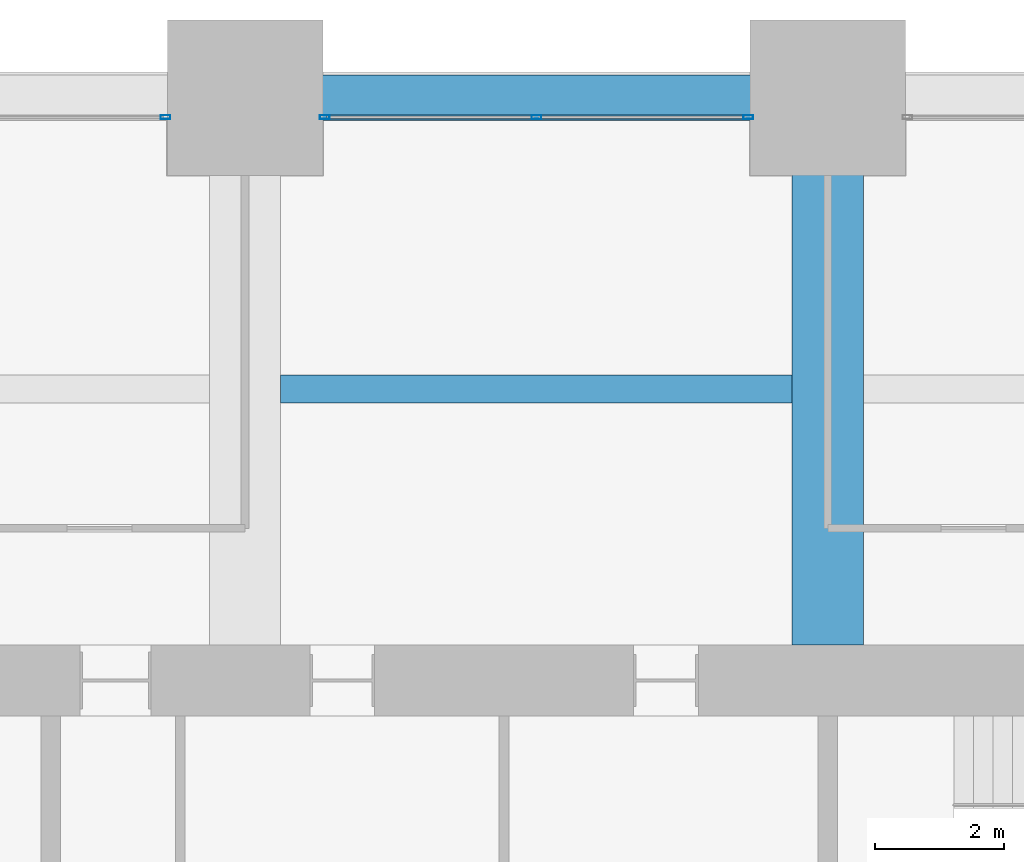
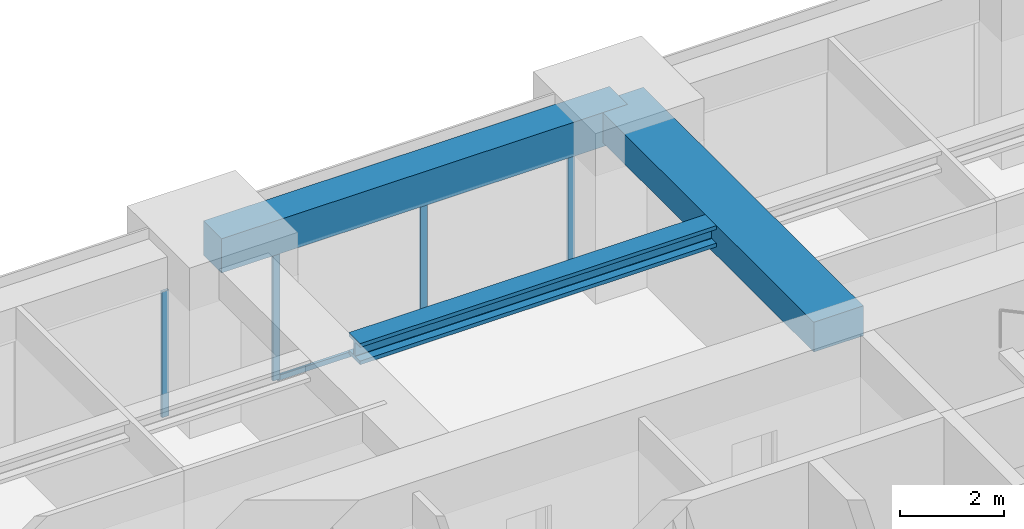
# One storey, part 29 of 41: 5 members, 3 beams, 2 elements without a shape of their own.
"""IFC4 building model written with IfcOpenShell, lengths in metres."""

from ifc_helpers import new_model, si_unit, direction, frame, origin, origin_2d, place, context, subcontext, project, spatial, rectangle, hollow_rectangle, i_section, extrude, material, material_profile, profile_set, type_object, element, aggregate, save


model = new_model("IFC4")

# Units and contexts
model_context = context("Model", 3, precision=1e-05, world=origin(), true_north=direction((0.0, 1.0)))
body_context = subcontext(model_context, "Body", "Model", "MODEL_VIEW")
ifc_project = project(units=[si_unit("LENGTHUNIT", "METRE"), si_unit("AREAUNIT", "SQUARE_METRE"), si_unit("VOLUMEUNIT", "CUBIC_METRE"), si_unit("PLANEANGLEUNIT", "RADIAN"), si_unit("MASSUNIT", "GRAM", prefix="KILO")], contexts=[model_context])

# Site, building, storey
site_placement = place(None, origin())
site = spatial("IfcSite", under=ifc_project, at=site_placement, CompositionType="ELEMENT")
building_placement = place(site_placement, origin())
building = spatial("IfcBuilding", under=site, at=building_placement, Name="Zorevar Civic Tower", CompositionType="ELEMENT")
storey_placement = place(building_placement, frame((0.0, 0.0, 105.0)))
storey = spatial("IfcBuildingStorey", under=building, at=storey_placement, Name="L25", CompositionType="ELEMENT", Elevation=105.0)

# Beam
ifc_material_1 = material(Name="Concrete C50/60", Category="concrete")
ifc_material_profile_1 = material_profile(ifc_material_1, rectangle(XDim=1.10009765625, YDim=0.699951171875, at=origin_2d()), Name="RC 1100x700")
ifc_profile_set_1 = profile_set([ifc_material_profile_1], Name="Concrete C50/60")
beam_type_1 = type_object("IfcBeamType", Name="Beam RC 1100x700", PredefinedType="BEAM", material=ifc_profile_set_1)
beam_1_placement = place(storey_placement, frame((36.0, 36.550048828125, 3.39990234375), z_axis=(0.0, 1.0, 0.0), x_axis=(-1.0, 0.0, 0.0)))
element("IfcBeam", 1, at=beam_1_placement, inside=storey, type_object=beam_type_1, Name="Girder L26", PredefinedType="BEAM", context=body_context, shape_type="SweptSolid", body=[
    extrude(rectangle(XDim=1.10009765625, YDim=0.699951171875, at=origin_2d()), origin(), (0.0, 0.0, 1.0), 8.449951171875),
])

# Curtain wall, member
ifc_material_2 = material(Name="Dark grey solar-control glass in black aluminium frame", Category="aluminium")
curtain_wall_type = type_object("IfcCurtainWallType", Name="Curtain wall CW3 mid zone", PredefinedType="NOTDEFINED", material=ifc_material_2)
curtain_wall_1_placement = place(storey_placement, origin())
curtain_wall_1 = element("IfcCurtainWall", 2, at=curtain_wall_1_placement, inside=storey, type_object=curtain_wall_type, Name="CW3 L25", PredefinedType="NOTDEFINED")
ifc_material_3 = material(Name="Aluminium, black anodised", Category="aluminium")
ifc_material_profile_2 = material_profile(ifc_material_3, hollow_rectangle(XDim=0.06005859375, YDim=0.14990234375, WallThickness=0.00390625, at=origin_2d()), Name="AL 150x60x4")
ifc_profile_set_2 = profile_set([ifc_material_profile_2], Name="Aluminium, black anodised")
member_type_1 = type_object("IfcMemberType", Name="CW3 mullion AL 150x60x4", PredefinedType="MULLION", material=ifc_profile_set_2)
member_1_placement = place(storey_placement, frame((25.77001953125, 44.699951171875, 0.0), z_axis=(0.0, 0.0, 1.0), x_axis=(0.0, 1.0, 0.0)))
member_1 = element("IfcMember", 3, at=member_1_placement, type_object=member_type_1, Name="CW3 mullion 3", PredefinedType="MULLION", context=body_context, shape_type="SweptSolid", body=[
    extrude(hollow_rectangle(XDim=0.06005859375, YDim=0.14990234375, WallThickness=0.00390625, at=origin_2d()), origin(), (0.0, 0.0, 1.0), 2.949951171875),
])
aggregate(curtain_wall_1, [member_1])

# Curtain wall, members
curtain_wall_2_placement = place(storey_placement, origin())
curtain_wall_2 = element("IfcCurtainWall", 4, at=curtain_wall_2_placement, inside=storey, type_object=curtain_wall_type, Name="CW3 L25", PredefinedType="NOTDEFINED")
member_2_placement = place(storey_placement, frame((28.22998046875, 44.699951171875, 0.0), z_axis=(0.0, 0.0, 1.0), x_axis=(0.0, 1.0, 0.0)))
member_2 = element("IfcMember", 5, at=member_2_placement, type_object=member_type_1, Name="CW3 mullion 1", PredefinedType="MULLION", context=body_context, shape_type="SweptSolid", body=[
    extrude(hollow_rectangle(XDim=0.06005859375, YDim=0.14990234375, WallThickness=0.00390625, at=origin_2d()), origin(), (0.0, 0.0, 1.0), 2.949951171875),
])
member_3_placement = place(storey_placement, frame((31.5, 44.699951171875, 0.06005859375), z_axis=(0.0, 0.0, 1.0), x_axis=(0.0, 1.0, 0.0)))
member_3 = element("IfcMember", 6, at=member_3_placement, type_object=member_type_1, Name="CW3 mullion 2", PredefinedType="MULLION", context=body_context, shape_type="SweptSolid", body=[
    extrude(hollow_rectangle(XDim=0.06005859375, YDim=0.14990234375, WallThickness=0.00390625, at=origin_2d()), origin(), (0.0, 0.0, 1.0), 2.889892578125),
])
member_4_placement = place(storey_placement, frame((34.77001953125, 44.699951171875, 0.0), z_axis=(0.0, 0.0, 1.0), x_axis=(0.0, 1.0, 0.0)))
member_4 = element("IfcMember", 7, at=member_4_placement, type_object=member_type_1, Name="CW3 mullion 3", PredefinedType="MULLION", context=body_context, shape_type="SweptSolid", body=[
    extrude(hollow_rectangle(XDim=0.06005859375, YDim=0.14990234375, WallThickness=0.00390625, at=origin_2d()), origin(), (0.0, 0.0, 1.0), 2.949951171875),
])
ifc_material_4 = material(Name="Aluminium, black anodised", Category="aluminium")
ifc_material_profile_3 = material_profile(ifc_material_4, hollow_rectangle(XDim=0.06005859375, YDim=0.1201171875, WallThickness=0.0029296875, at=origin_2d()), Name="AL 120x60x3")
ifc_profile_set_3 = profile_set([ifc_material_profile_3], Name="Aluminium, black anodised")
member_type_2 = type_object("IfcMemberType", Name="CW3 transom AL 120x60x3", PredefinedType="USERDEFINED", material=ifc_profile_set_3)
member_5_placement = place(storey_placement, frame((28.260009765625, 44.699951171875, 0.030029296875), z_axis=(1.0, 0.0, 0.0), x_axis=(0.0, 1.0, 0.0)))
member_5 = element("IfcMember", 8, at=member_5_placement, type_object=member_type_2, Name="CW3 sill transom", ObjectType="TRANSOM", PredefinedType="USERDEFINED", context=body_context, shape_type="SweptSolid", body=[
    extrude(hollow_rectangle(XDim=0.06005859375, YDim=0.1201171875, WallThickness=0.0029296875, at=origin_2d()), origin(), (0.0, 0.0, 1.0), 6.47998046875),
])
aggregate(curtain_wall_2, [member_2, member_3, member_4, member_5])

# Beams
ifc_material_5 = material(Name="Steel S460M (HISTAR 460)", Category="steel")
ifc_material_profile_4 = material_profile(ifc_material_5, i_section(OverallWidth=0.431884765625, OverallDepth=0.498046875, WebThickness=0.0556640625, FlangeThickness=0.0888671875, FilletRadius=0.014892578125, at=origin_2d()), Name="HD 400x744")
ifc_profile_set_4 = profile_set([ifc_material_profile_4], Name="Steel S460M (HISTAR 460)")
beam_type_2 = type_object("IfcBeamType", Name="Core bay beam HD 400x744", PredefinedType="BEAM", material=ifc_profile_set_4)
beam_2_placement = place(storey_placement, frame((27.550048828125, 40.5, 3.5009765625), z_axis=(1.0, 0.0, 0.0), x_axis=(0.0, 1.0, 0.0)))
element("IfcBeam", 9, at=beam_2_placement, inside=storey, type_object=beam_type_2, Name="Secondary beam L26", PredefinedType="BEAM", context=body_context, shape_type="SweptSolid", body=[
    extrude(i_section(OverallWidth=0.431884765625, OverallDepth=0.498046875, WebThickness=0.0556640625, FlangeThickness=0.0888671875, FilletRadius=0.014892578125, at=origin_2d()), origin(), (0.0, 0.0, 1.0), 7.89990234375),
])
ifc_material_6 = material(Name="Concrete C50/60", Category="concrete")
ifc_material_profile_5 = material_profile(ifc_material_6, rectangle(XDim=0.699951171875, YDim=0.800048828125, at=origin_2d()), Name="RC 700x800")
ifc_profile_set_5 = profile_set([ifc_material_profile_5], Name="Concrete C50/60")
beam_type_3 = type_object("IfcBeamType", Name="Edge beam RC 700x800", PredefinedType="SPANDREL", material=ifc_profile_set_5)
beam_3_placement = place(storey_placement, frame((27.0, 45.0, 3.35009765625), z_axis=(1.0, 0.0, 0.0), x_axis=(0.0, 1.0, 0.0)))
element("IfcBeam", 10, at=beam_3_placement, inside=storey, type_object=beam_type_3, Name="Edge beam L26", PredefinedType="SPANDREL", context=body_context, shape_type="SweptSolid", body=[
    extrude(rectangle(XDim=0.699951171875, YDim=0.800048828125, at=origin_2d()), origin(), (0.0, 0.0, 1.0), 9.0),
])

save(model, "model.ifc")
